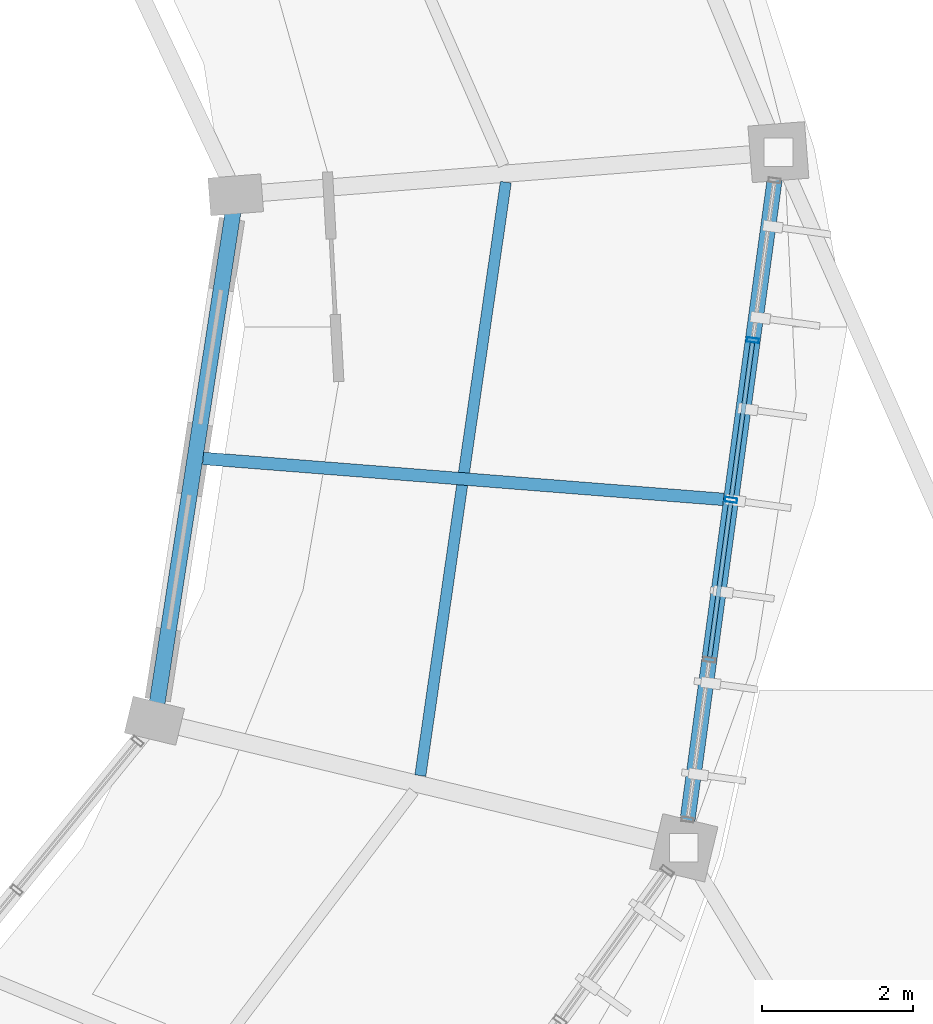
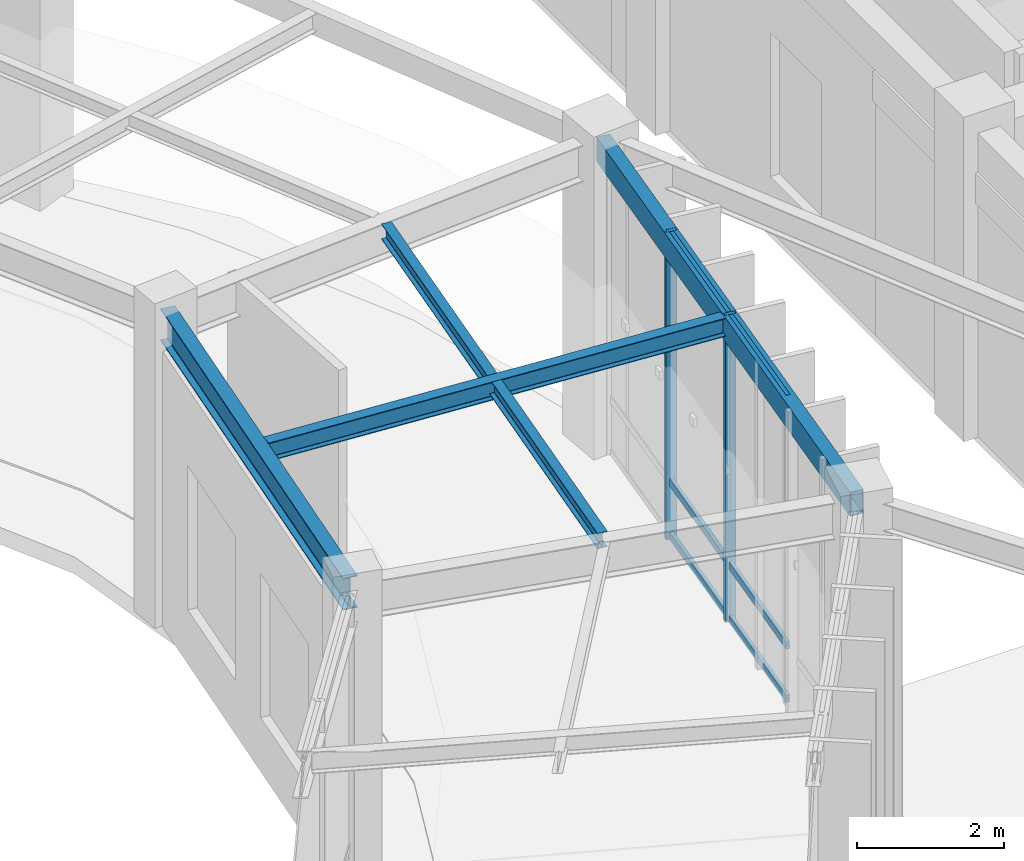
# One storey, part 99 of 157: 8 members, 4 beams, 1 element without a shape of its own.
"""IFC4 building model written with IfcOpenShell, lengths in metres."""

from ifc_helpers import new_model, si_unit, direction, frame, origin, origin_2d, place, context, subcontext, project, spatial, hollow_rectangle, i_section, extrude, material, material_profile, profile_set, type_object, element, aggregate, save


model = new_model("IFC4")

# Units and contexts
model_context = context("Model", 3, precision=1e-05, world=origin(), true_north=direction((0.0, 1.0)))
body_context = subcontext(model_context, "Body", "Model", "MODEL_VIEW")
ifc_project = project(units=[si_unit("LENGTHUNIT", "METRE"), si_unit("AREAUNIT", "SQUARE_METRE"), si_unit("VOLUMEUNIT", "CUBIC_METRE"), si_unit("PLANEANGLEUNIT", "RADIAN"), si_unit("MASSUNIT", "GRAM", prefix="KILO"), si_unit("THERMODYNAMICTEMPERATUREUNIT", "KELVIN"), si_unit("POWERUNIT", "WATT")], contexts=[model_context])

# Site, building, storey
site_placement = place(None, origin())
site = spatial("IfcSite", under=ifc_project, at=site_placement, CompositionType="ELEMENT")
building_placement = place(site_placement, origin())
building = spatial("IfcBuilding", under=site, at=building_placement, Name="Darbajah Civic Hall", CompositionType="ELEMENT")
storey_placement = place(building_placement, origin())
storey = spatial("IfcBuildingStorey", under=building, at=storey_placement, Name="L00", CompositionType="ELEMENT", Elevation=0.0)

# Curtain wall, members
ifc_material_1 = material(Name="Anodised Bronze Aluminium and Low-E Glazing", Category="aluminium")
curtain_wall_type = type_object("IfcCurtainWallType", Name="Unitised Curtain Wall CW-18 8500x5100", PredefinedType="USERDEFINED", material=ifc_material_1)
curtain_wall_placement = place(storey_placement, origin())
curtain_wall = element("IfcCurtainWall", 1, at=curtain_wall_placement, inside=storey, type_object=curtain_wall_type, Name="L00 unitised curtain wall CW-V1O-L00-19", ObjectType="UNITISED CURTAIN WALL", PredefinedType="USERDEFINED")
ifc_material_2 = material(Name="Anodised Bronze Aluminium", Category="aluminium")
ifc_material_profile_1 = material_profile(ifc_material_2, hollow_rectangle(XDim=0.06005859375, YDim=0.159912109375, WallThickness=0.00341796875, at=origin_2d()), Name="ALU MULLION 60x160")
ifc_profile_set_1 = profile_set([ifc_material_profile_1], Name="Anodised Bronze Aluminium")
member_type_1 = type_object("IfcMemberType", Name="ALU MULLION 60x160", PredefinedType="MULLION", material=ifc_profile_set_1)
member_1_placement = place(storey_placement, frame((139.31689453125, 87.513916015625, 0.0), z_axis=(0.0, 0.0, 1.0), x_axis=(0.134850930274, 0.990865897387, 0.0)))
member_1 = element("IfcMember", 2, at=member_1_placement, type_object=member_type_1, Name="CW-V1O-L00-19 mullion 3", PredefinedType="MULLION", context=body_context, shape_type="SweptSolid", body=[
    extrude(hollow_rectangle(XDim=0.06005859375, YDim=0.159912109375, WallThickness=0.00341796875, at=origin_2d()), origin(), (0.0, 0.0, 1.0), 5.1201171875),
])
member_2_placement = place(storey_placement, frame((139.6044921875, 89.62744140625, 0.0), z_axis=(0.0, 0.0, 1.0), x_axis=(0.134850930274, 0.990865897387, 0.0)))
member_2 = element("IfcMember", 3, at=member_2_placement, type_object=member_type_1, Name="CW-V1O-L00-19 mullion 4", PredefinedType="MULLION", context=body_context, shape_type="SweptSolid", body=[
    extrude(hollow_rectangle(XDim=0.06005859375, YDim=0.159912109375, WallThickness=0.00341796875, at=origin_2d()), origin(), (0.0, 0.0, 1.0), 5.1201171875),
])
ifc_material_profile_2 = material_profile(ifc_material_2, hollow_rectangle(XDim=0.06005859375, YDim=0.1201171875, WallThickness=0.003173828125, at=origin_2d()), Name="ALU TRANSOM 60x120")
ifc_profile_set_2 = profile_set([ifc_material_profile_2], Name="Anodised Bronze Aluminium")
member_type_2 = type_object("IfcMemberType", Name="ALU TRANSOM 60x120", PredefinedType="USERDEFINED", material=ifc_profile_set_2)
member_3_placement = place(storey_placement, frame((139.033935546875, 85.435302734375, 0.06005859375), z_axis=(0.134806866503, 0.990871893205, 0.0), x_axis=(-0.990871893205, 0.134806866503, 0.0)))
member_3 = element("IfcMember", 4, at=member_3_placement, type_object=member_type_2, Name="CW-V1O-L00-19 transom 2.1", ObjectType="TRANSOM", PredefinedType="USERDEFINED", context=body_context, shape_type="SweptSolid", body=[
    extrude(hollow_rectangle(XDim=0.06005859375, YDim=0.1201171875, WallThickness=0.003173828125, at=origin_2d()), origin(), (0.0, 0.0, 1.0), 2.062744140625),
])
member_4_placement = place(storey_placement, frame((139.033935546875, 85.435302734375, 0.949951171875), z_axis=(0.134806866503, 0.990871893205, 0.0), x_axis=(-0.990871893205, 0.134806866503, 0.0)))
member_4 = element("IfcMember", 5, at=member_4_placement, type_object=member_type_2, Name="CW-V1O-L00-19 transom 2.2", ObjectType="TRANSOM", PredefinedType="USERDEFINED", context=body_context, shape_type="SweptSolid", body=[
    extrude(hollow_rectangle(XDim=0.06005859375, YDim=0.1201171875, WallThickness=0.003173828125, at=origin_2d()), origin(), (0.0, 0.0, 1.0), 2.062744140625),
])
member_5_placement = place(storey_placement, frame((139.033935546875, 85.435302734375, 5.06005859375), z_axis=(0.134806866503, 0.990871893205, 0.0), x_axis=(-0.990871893205, 0.134806866503, 0.0)))
member_5 = element("IfcMember", 6, at=member_5_placement, type_object=member_type_2, Name="CW-V1O-L00-19 transom 2.3", ObjectType="TRANSOM", PredefinedType="USERDEFINED", context=body_context, shape_type="SweptSolid", body=[
    extrude(hollow_rectangle(XDim=0.06005859375, YDim=0.1201171875, WallThickness=0.003173828125, at=origin_2d()), origin(), (0.0, 0.0, 1.0), 2.062744140625),
])
member_6_placement = place(storey_placement, frame((139.321533203125, 87.548583984375, 0.06005859375), z_axis=(0.134791058851, 0.990874043688, 0.0), x_axis=(-0.990874043688, 0.134791058851, 0.0)))
member_6 = element("IfcMember", 7, at=member_6_placement, type_object=member_type_2, Name="CW-V1O-L00-19 transom 3.1", ObjectType="TRANSOM", PredefinedType="USERDEFINED", context=body_context, shape_type="SweptSolid", body=[
    extrude(hollow_rectangle(XDim=0.06005859375, YDim=0.1201171875, WallThickness=0.003173828125, at=origin_2d()), origin(), (0.0, 0.0, 1.0), 2.06298828125),
])
member_7_placement = place(storey_placement, frame((139.321533203125, 87.548583984375, 0.949951171875), z_axis=(0.134791058851, 0.990874043688, 0.0), x_axis=(-0.990874043688, 0.134791058851, 0.0)))
member_7 = element("IfcMember", 8, at=member_7_placement, type_object=member_type_2, Name="CW-V1O-L00-19 transom 3.2", ObjectType="TRANSOM", PredefinedType="USERDEFINED", context=body_context, shape_type="SweptSolid", body=[
    extrude(hollow_rectangle(XDim=0.06005859375, YDim=0.1201171875, WallThickness=0.003173828125, at=origin_2d()), origin(), (0.0, 0.0, 1.0), 2.06298828125),
])
member_8_placement = place(storey_placement, frame((139.321533203125, 87.548583984375, 5.06005859375), z_axis=(0.134791058851, 0.990874043688, 0.0), x_axis=(-0.990874043688, 0.134791058851, 0.0)))
member_8 = element("IfcMember", 9, at=member_8_placement, type_object=member_type_2, Name="CW-V1O-L00-19 transom 3.3", ObjectType="TRANSOM", PredefinedType="USERDEFINED", context=body_context, shape_type="SweptSolid", body=[
    extrude(hollow_rectangle(XDim=0.06005859375, YDim=0.1201171875, WallThickness=0.003173828125, at=origin_2d()), origin(), (0.0, 0.0, 1.0), 2.06298828125),
])
aggregate(curtain_wall, [member_1, member_2, member_3, member_4, member_5, member_6, member_7, member_8])

# Beams
ifc_material_3 = material(Name="Steel S355JR", Category="steel")
ifc_material_profile_3 = material_profile(ifc_material_3, hollow_rectangle(XDim=0.199951171875, YDim=0.39990234375, WallThickness=0.013916015625, at=origin_2d()), Name="RHS 400x200x14")
ifc_profile_set_3 = profile_set([ifc_material_profile_3], Name="Steel S355JR")
beam_type_1 = type_object("IfcBeamType", Name="RHS 400x200x14", PredefinedType="SPANDREL", material=ifc_profile_set_3)
beam_1_placement = place(storey_placement, frame((138.70166015625, 82.99267578125, 4.919921875), z_axis=(0.134807575565, 0.990871796738, 0.0), x_axis=(-0.990871796738, 0.134807575565, 0.0)))
element("IfcBeam", 10, at=beam_1_placement, inside=storey, type_object=beam_type_1, Name="L00 beam SP-RHS400", PredefinedType="SPANDREL", context=body_context, shape_type="SweptSolid", body=[
    extrude(hollow_rectangle(XDim=0.199951171875, YDim=0.39990234375, WallThickness=0.013916015625, at=origin_2d()), origin(), (0.0, 0.0, 1.0), 9.125732421875),
])
ifc_material_profile_4 = material_profile(ifc_material_3, i_section(OverallWidth=0.146484375, OverallDepth=0.256103515625, WebThickness=0.00634765625, FlangeThickness=0.010986328125, FilletRadius=0.007568359375, at=origin_2d()), Name="UB 254x146x37")
ifc_profile_set_4 = profile_set([ifc_material_profile_4], Name="Steel S355JR")
beam_type_2 = type_object("IfcBeamType", Name="UB 254x146x37", PredefinedType="JOIST", material=ifc_profile_set_4)
beam_2_placement = place(storey_placement, frame((135.206787109375, 83.86865234375, 4.991943359375), z_axis=(0.142580747671, 0.989783173424, 0.0), x_axis=(-0.989783173424, 0.142580747671, 0.0)))
element("IfcBeam", 11, at=beam_2_placement, inside=storey, type_object=beam_type_2, Name="L00 beam SJ-254", PredefinedType="JOIST", context=body_context, shape_type="SweptSolid", body=[
    extrude(i_section(OverallWidth=0.146484375, OverallDepth=0.256103515625, WebThickness=0.00634765625, FlangeThickness=0.010986328125, FilletRadius=0.007568359375, at=origin_2d()), origin(), (0.0, 0.0, 1.0), 7.9296875),
])
ifc_material_profile_5 = material_profile(ifc_material_3, i_section(OverallWidth=0.165771484375, OverallDepth=0.306640625, WebThickness=0.006591796875, FlangeThickness=0.01171875, FilletRadius=0.0087890625, at=origin_2d()), Name="UB 305x165x46")
ifc_profile_set_5 = profile_set([ifc_material_profile_5], Name="Steel S355JR")
beam_type_3 = type_object("IfcBeamType", Name="UB 305x165x46", PredefinedType="JOIST", material=ifc_profile_set_5)
beam_3_placement = place(storey_placement, frame((132.3330078125, 88.063720703125, 4.966796875), z_axis=(0.996916012499, -0.078475881788, 0.0), x_axis=(0.078475881788, 0.996916012499, 0.0)))
element("IfcBeam", 12, at=beam_3_placement, inside=storey, type_object=beam_type_3, Name="L00 beam SJ-305", PredefinedType="JOIST", context=body_context, shape_type="SweptSolid", body=[
    extrude(i_section(OverallWidth=0.165771484375, OverallDepth=0.306640625, WebThickness=0.006591796875, FlangeThickness=0.01171875, FilletRadius=0.0087890625, at=origin_2d()), origin(), (0.0, 0.0, 1.0), 6.9033203125),
])
ifc_material_profile_6 = material_profile(ifc_material_3, i_section(OverallWidth=0.209228515625, OverallDepth=0.533203125, WebThickness=0.010009765625, FlangeThickness=0.015625, FilletRadius=0.0126953125, at=origin_2d()), Name="UB 533x210x92")
ifc_profile_set_6 = profile_set([ifc_material_profile_6], Name="Steel S355JR")
beam_type_4 = type_object("IfcBeamType", Name="UB 533x210x92", PredefinedType="BEAM", material=ifc_profile_set_6)
beam_4_placement = place(storey_placement, frame((131.701904296875, 84.67333984375, 4.853515625), z_axis=(0.152777334871, 0.988260636649, 0.0), x_axis=(-0.988260636649, 0.152777334871, 0.0)))
element("IfcBeam", 13, at=beam_4_placement, inside=storey, type_object=beam_type_4, Name="L00 beam SB-533", PredefinedType="BEAM", context=body_context, shape_type="SweptSolid", body=[
    extrude(i_section(OverallWidth=0.209228515625, OverallDepth=0.533203125, WebThickness=0.010009765625, FlangeThickness=0.015625, FilletRadius=0.0126953125, at=origin_2d()), origin(), (0.0, 0.0, 1.0), 6.8779296875),
])

save(model, "model.ifc")
